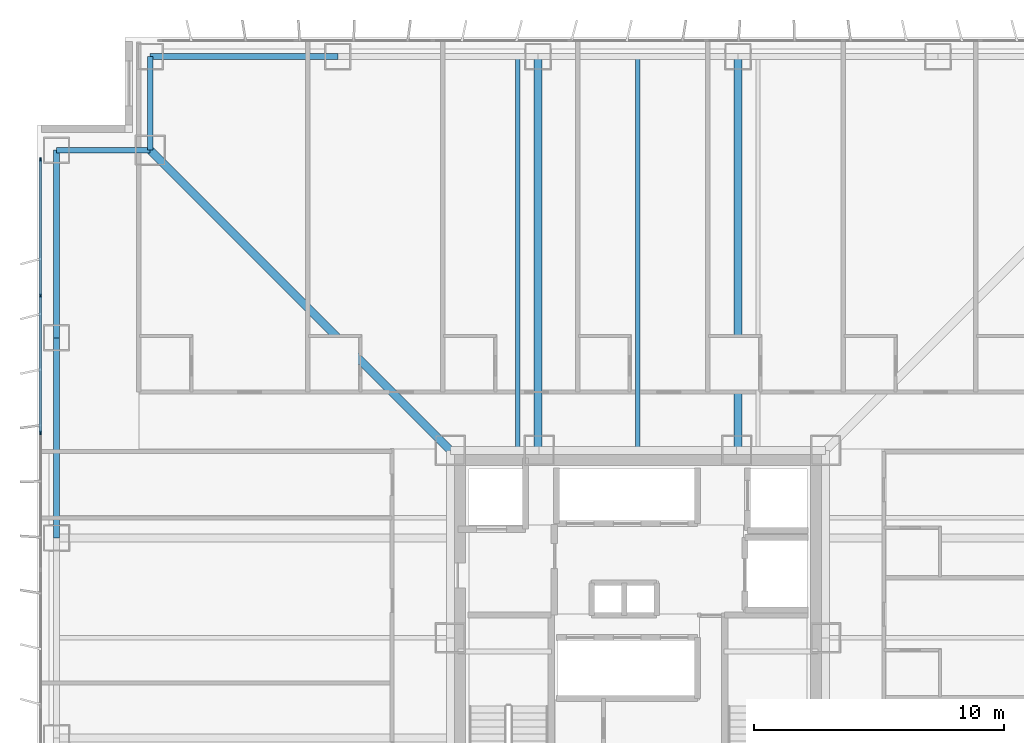
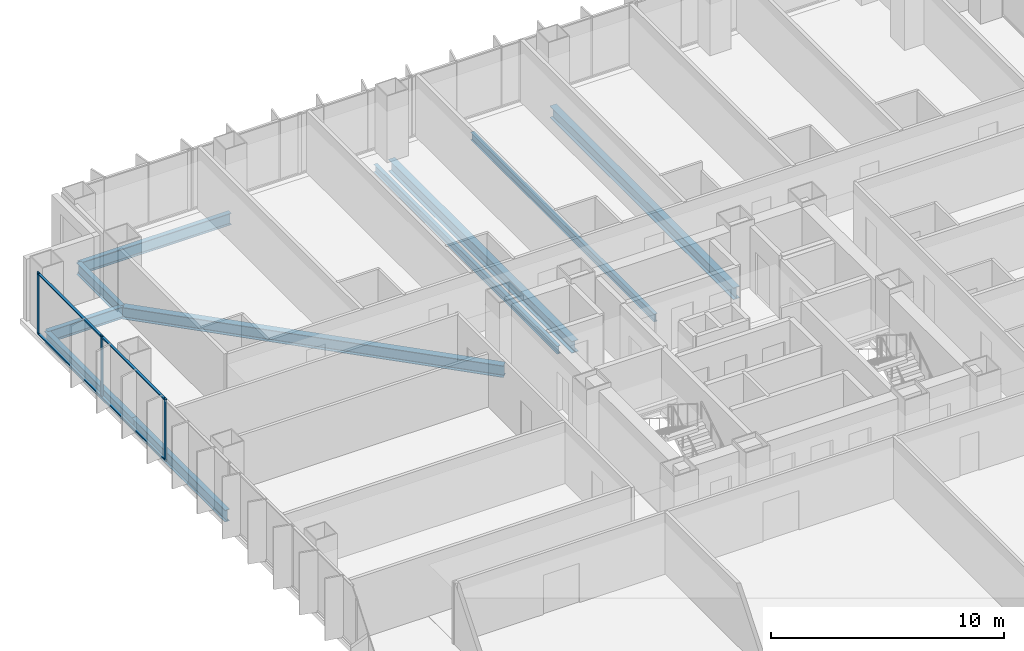
# One storey, part 7 of 17: 10 beams, 7 members, 1 element without a shape of its own.
"""IFC4 building model written with IfcOpenShell, lengths in metres."""

from ifc_helpers import new_model, si_unit, direction, frame, origin, origin_2d, place, context, subcontext, project, spatial, rectangle, i_section, extrude, material, layer, layer_set, material_profile, profile_set, type_object, element, aggregate, save


model = new_model("IFC4")

# Units and contexts
model_context = context("Model", 3, precision=1e-05, world=origin(), true_north=direction((0.0, 1.0)))
body_context = subcontext(model_context, "Body", "Model", "MODEL_VIEW")
ifc_project = project(units=[si_unit("LENGTHUNIT", "METRE"), si_unit("AREAUNIT", "SQUARE_METRE"), si_unit("VOLUMEUNIT", "CUBIC_METRE"), si_unit("PLANEANGLEUNIT", "RADIAN"), si_unit("MASSUNIT", "GRAM", prefix="KILO")], contexts=[model_context])

# Site, building, storey
site_placement = place(None, origin())
site = spatial("IfcSite", under=ifc_project, at=site_placement, CompositionType="ELEMENT")
building_placement = place(site_placement, origin())
building = spatial("IfcBuilding", under=site, at=building_placement, Name="Trevonay Congress Spire", CompositionType="ELEMENT")
storey_placement = place(building_placement, frame((0.0, 0.0, 69.0)))
storey = spatial("IfcBuildingStorey", under=building, at=storey_placement, Name="L17", CompositionType="ELEMENT", Elevation=69.0)

# Beams
ifc_material_1 = material(Name="Steel ASTM A572 Grade 50", Category="steel")
ifc_material_profile_1 = material_profile(ifc_material_1, i_section(OverallWidth=0.324951171875, OverallDepth=0.615966796875, WebThickness=0.013916015625, FlangeThickness=0.021484375, FilletRadius=0.01806640625, at=origin_2d()), Name="W610x174")
ifc_profile_set_1 = profile_set([ifc_material_profile_1], Name="Steel ASTM A572 Grade 50")
beam_type_1 = type_object("IfcBeamType", Name="BM-GIRD-W610X174", PredefinedType="BEAM", material=ifc_profile_set_1)
beam_1_placement = place(storey_placement, frame((-7.5, 7.5, -0.55810546875), z_axis=(-0.707106781187, 0.707106781187, 0.0), x_axis=(-0.707106781187, -0.707106781187, 0.0)))
element("IfcBeam", 1, at=beam_1_placement, inside=storey, type_object=beam_type_1, Name="L17 structural beam BM-L17-CDNW", PredefinedType="BEAM", context=body_context, shape_type="SweptSolid", body=[
    extrude(i_section(OverallWidth=0.324951171875, OverallDepth=0.615966796875, WebThickness=0.013916015625, FlangeThickness=0.021484375, FilletRadius=0.01806640625, at=origin_2d()), origin(), (0.0, 0.0, 1.0), 16.970458984375),
])
for number, where, z_axis, x_axis, name in (
    (2, (-4.0, 7.5, -0.55810546875), (0.0, 1.0, 0.0), (-1.0, 0.0, 0.0), "L17 structural beam BM-L17-GN-M"),
    (3, (4.0, 7.5, -0.55810546875), (0.0, 1.0, 0.0), (-1.0, 0.0, 0.0), "L17 structural beam BM-L17-GN-P"),
):
    element("IfcBeam", number, at=place(storey_placement, frame(where, z_axis=z_axis, x_axis=x_axis)), inside=storey, type_object=beam_type_1, Name=name, PredefinedType="BEAM", context=body_context, shape_type="SweptSolid", body=[
        extrude(i_section(OverallWidth=0.324951171875, OverallDepth=0.615966796875, WebThickness=0.013916015625, FlangeThickness=0.021484375, FilletRadius=0.01806640625, at=origin_2d()), origin(), (0.0, 0.0, 1.0), 15.75),
    ])
ifc_material_profile_2 = material_profile(ifc_material_1, i_section(OverallWidth=0.22998046875, OverallDepth=0.616943359375, WebThickness=0.01318359375, FlangeThickness=0.022216796875, FilletRadius=0.01611328125, at=origin_2d()), Name="W610x140")
ifc_profile_set_2 = profile_set([ifc_material_profile_2], Name="Steel ASTM A572 Grade 50")
beam_type_2 = type_object("IfcBeamType", Name="BM-RING-W610X140", PredefinedType="BEAM", material=ifc_profile_set_2)
beam_2_placement = place(storey_placement, frame((-19.5, 23.25, -0.55859375), z_axis=(1.0, 0.0, 0.0), x_axis=(0.0, 1.0, 0.0)))
element("IfcBeam", 4, at=beam_2_placement, inside=storey, type_object=beam_type_2, Name="L17 structural beam BM-L17-PN1", PredefinedType="BEAM", context=body_context, shape_type="SweptSolid", body=[
    extrude(i_section(OverallWidth=0.22998046875, OverallDepth=0.616943359375, WebThickness=0.01318359375, FlangeThickness=0.022216796875, FilletRadius=0.01611328125, at=origin_2d()), origin(), (0.0, 0.0, 1.0), 7.5),
])
beam_3_placement = place(storey_placement, frame((-23.25, 4.0, -0.55859375), z_axis=(0.0, 1.0, 0.0), x_axis=(-1.0, 0.0, 0.0)))
element("IfcBeam", 5, at=beam_3_placement, inside=storey, type_object=beam_type_2, Name="L17 structural beam BM-L17-PW4", PredefinedType="BEAM", context=body_context, shape_type="SweptSolid", body=[
    extrude(i_section(OverallWidth=0.22998046875, OverallDepth=0.616943359375, WebThickness=0.01318359375, FlangeThickness=0.022216796875, FilletRadius=0.01611328125, at=origin_2d()), origin(), (0.0, 0.0, 1.0), 8.0),
])
beam_4_placement = place(storey_placement, frame((-23.25, 12.0, -0.55859375), z_axis=(0.0, 1.0, 0.0), x_axis=(-1.0, 0.0, 0.0)))
element("IfcBeam", 6, at=beam_4_placement, inside=storey, type_object=beam_type_2, Name="L17 structural beam BM-L17-PW5", PredefinedType="BEAM", context=body_context, shape_type="SweptSolid", body=[
    extrude(i_section(OverallWidth=0.22998046875, OverallDepth=0.616943359375, WebThickness=0.01318359375, FlangeThickness=0.022216796875, FilletRadius=0.01611328125, at=origin_2d()), origin(), (0.0, 0.0, 1.0), 7.5),
])
for number, where, z_axis, x_axis, name in (
    (7, (-19.5, 23.25, -0.55859375), (0.0, -1.0, 0.0), (1.0, 0.0, 0.0), "L17 structural beam BM-L17-N1NW"),
    (8, (-23.25, 19.5, -0.55859375), (1.0, 0.0, 0.0), (0.0, 1.0, 0.0), "L17 structural beam BM-L17-N2NW"),
):
    element("IfcBeam", number, at=place(storey_placement, frame(where, z_axis=z_axis, x_axis=x_axis)), inside=storey, type_object=beam_type_2, Name=name, PredefinedType="BEAM", context=body_context, shape_type="SweptSolid", body=[
        extrude(i_section(OverallWidth=0.22998046875, OverallDepth=0.616943359375, WebThickness=0.01318359375, FlangeThickness=0.022216796875, FilletRadius=0.01611328125, at=origin_2d()), origin(), (0.0, 0.0, 1.0), 3.75),
    ])

# Curtain wall, members
ifc_material_2 = material(Name="Pale Anodised Aluminium EN AW-6063-T6", Category="aluminium")
ifc_layer = layer(ifc_material_2, 0.179931640625, Name="Pale Anodised Aluminium EN AW-6063-T6")
ifc_layer_set = layer_set([ifc_layer], Name="Pale Anodised Aluminium EN AW-6063-T6")
curtain_wall_type = type_object("IfcCurtainWallType", Name="CW-SYS02-HOTEL-PALE-METAL", PredefinedType="NOTDEFINED", material=ifc_layer_set)
curtain_wall_placement = place(storey_placement, origin())
curtain_wall = element("IfcCurtainWall", 9, at=curtain_wall_placement, inside=storey, type_object=curtain_wall_type, Name="L17 W unitised curtain wall", PredefinedType="NOTDEFINED")
ifc_material_profile_3 = material_profile(ifc_material_2, rectangle(XDim=0.06005859375, YDim=0.159912109375, at=origin_2d()), Name="CW-MULLION-160-ALUMINIUM")
ifc_profile_set_3 = profile_set([ifc_material_profile_3], Name="Pale Anodised Aluminium EN AW-6063-T6")
member_type_1 = type_object("IfcMemberType", Name="CW-MULLION-160-ALUMINIUM", PredefinedType="MULLION", material=ifc_profile_set_3)
member_1_placement = place(storey_placement, frame((-23.8798828125, 8.20703125, 0.0), z_axis=(0.0, 0.0, 1.0), x_axis=(-1.0, 0.0, 0.0)))
member_1 = element("IfcMember", 10, at=member_1_placement, type_object=member_type_1, Name="CW02 mullion 6", PredefinedType="MULLION", context=body_context, shape_type="SweptSolid", body=[
    extrude(rectangle(XDim=0.06005859375, YDim=0.159912109375, at=origin_2d()), origin(), (0.0, 0.0, 1.0), 3.25),
])
member_2_placement = place(storey_placement, frame((-23.8798828125, 13.678466796875, 0.0), z_axis=(0.0, 0.0, 1.0), x_axis=(-1.0, 0.0, 0.0)))
member_2 = element("IfcMember", 11, at=member_2_placement, type_object=member_type_1, Name="CW02 mullion 7", PredefinedType="MULLION", context=body_context, shape_type="SweptSolid", body=[
    extrude(rectangle(XDim=0.06005859375, YDim=0.159912109375, at=origin_2d()), origin(), (0.0, 0.0, 1.0), 3.25),
])
member_3_placement = place(storey_placement, frame((-23.8798828125, 19.1201171875, 0.0), z_axis=(0.0, 0.0, 1.0), x_axis=(-1.0, 0.0, 0.0)))
member_3 = element("IfcMember", 12, at=member_3_placement, type_object=member_type_1, Name="CW02 mullion 8", PredefinedType="MULLION", context=body_context, shape_type="SweptSolid", body=[
    extrude(rectangle(XDim=0.06005859375, YDim=0.159912109375, at=origin_2d()), origin(), (0.0, 0.0, 1.0), 3.25),
])
ifc_material_profile_4 = material_profile(ifc_material_2, rectangle(XDim=0.1201171875, YDim=0.06005859375, at=origin_2d()), Name="CW-TRANSOM-120-ALUMINIUM")
ifc_profile_set_4 = profile_set([ifc_material_profile_4], Name="Pale Anodised Aluminium EN AW-6063-T6")
member_type_2 = type_object("IfcMemberType", Name="CW-TRANSOM-120-ALUMINIUM", PredefinedType="USERDEFINED", material=ifc_profile_set_4)
member_4_placement = place(storey_placement, frame((-23.8798828125, 8.237060546875, 0.06005859375), z_axis=(0.0, 1.0, 0.0), x_axis=(-1.0, 0.0, 0.0)))
member_4 = element("IfcMember", 13, at=member_4_placement, type_object=member_type_2, Name="CW02 transom 6.1", ObjectType="TRANSOM", PredefinedType="USERDEFINED", context=body_context, shape_type="SweptSolid", body=[
    extrude(rectangle(XDim=0.1201171875, YDim=0.06005859375, at=origin_2d()), origin(), (0.0, 0.0, 1.0), 5.41162109375),
])
member_5_placement = place(storey_placement, frame((-23.8798828125, 8.237060546875, 3.18994140625), z_axis=(0.0, 1.0, 0.0), x_axis=(-1.0, 0.0, 0.0)))
member_5 = element("IfcMember", 14, at=member_5_placement, type_object=member_type_2, Name="CW02 transom 6.2", ObjectType="TRANSOM", PredefinedType="USERDEFINED", context=body_context, shape_type="SweptSolid", body=[
    extrude(rectangle(XDim=0.1201171875, YDim=0.06005859375, at=origin_2d()), origin(), (0.0, 0.0, 1.0), 5.41162109375),
])
member_6_placement = place(storey_placement, frame((-23.8798828125, 13.70849609375, 0.06005859375), z_axis=(0.0, 1.0, 0.0), x_axis=(-1.0, 0.0, 0.0)))
member_6 = element("IfcMember", 15, at=member_6_placement, type_object=member_type_2, Name="CW02 transom 7.1", ObjectType="TRANSOM", PredefinedType="USERDEFINED", context=body_context, shape_type="SweptSolid", body=[
    extrude(rectangle(XDim=0.1201171875, YDim=0.06005859375, at=origin_2d()), origin(), (0.0, 0.0, 1.0), 5.381591796875),
])
member_7_placement = place(storey_placement, frame((-23.8798828125, 13.70849609375, 3.18994140625), z_axis=(0.0, 1.0, 0.0), x_axis=(-1.0, 0.0, 0.0)))
member_7 = element("IfcMember", 16, at=member_7_placement, type_object=member_type_2, Name="CW02 transom 7.2", ObjectType="TRANSOM", PredefinedType="USERDEFINED", context=body_context, shape_type="SweptSolid", body=[
    extrude(rectangle(XDim=0.1201171875, YDim=0.06005859375, at=origin_2d()), origin(), (0.0, 0.0, 1.0), 5.381591796875),
])
aggregate(curtain_wall, [member_1, member_2, member_3, member_4, member_5, member_6, member_7])

# Beams
ifc_material_profile_5 = material_profile(ifc_material_1, i_section(OverallWidth=0.177978515625, OverallDepth=0.406982421875, WebThickness=0.0078125, FlangeThickness=0.0126953125, FilletRadius=0.012939453125, at=origin_2d()), Name="W410x60")
ifc_profile_set_5 = profile_set([ifc_material_profile_5], Name="Steel ASTM A572 Grade 50")
beam_type_3 = type_object("IfcBeamType", Name="JS-COMP-W410X60", PredefinedType="JOIST", material=ifc_profile_set_5)
for number, where, z_axis, x_axis, name in (
    (17, (-4.800048828125, 7.5, -0.45361328125), (0.0, 1.0, 0.0), (-1.0, 0.0, 0.0), "L17 structural beam JS-L17-NS-N1"),
    (18, (0.0, 7.5, -0.45361328125), (0.0, 1.0, 0.0), (-1.0, 0.0, 0.0), "L17 structural beam JS-L17-NS-N2"),
):
    element("IfcBeam", number, at=place(storey_placement, frame(where, z_axis=z_axis, x_axis=x_axis)), inside=storey, type_object=beam_type_3, Name=name, PredefinedType="JOIST", context=body_context, shape_type="SweptSolid", body=[
        extrude(i_section(OverallWidth=0.177978515625, OverallDepth=0.406982421875, WebThickness=0.0078125, FlangeThickness=0.0126953125, FilletRadius=0.012939453125, at=origin_2d()), origin(), (0.0, 0.0, 1.0), 15.75),
    ])

save(model, "model.ifc")
